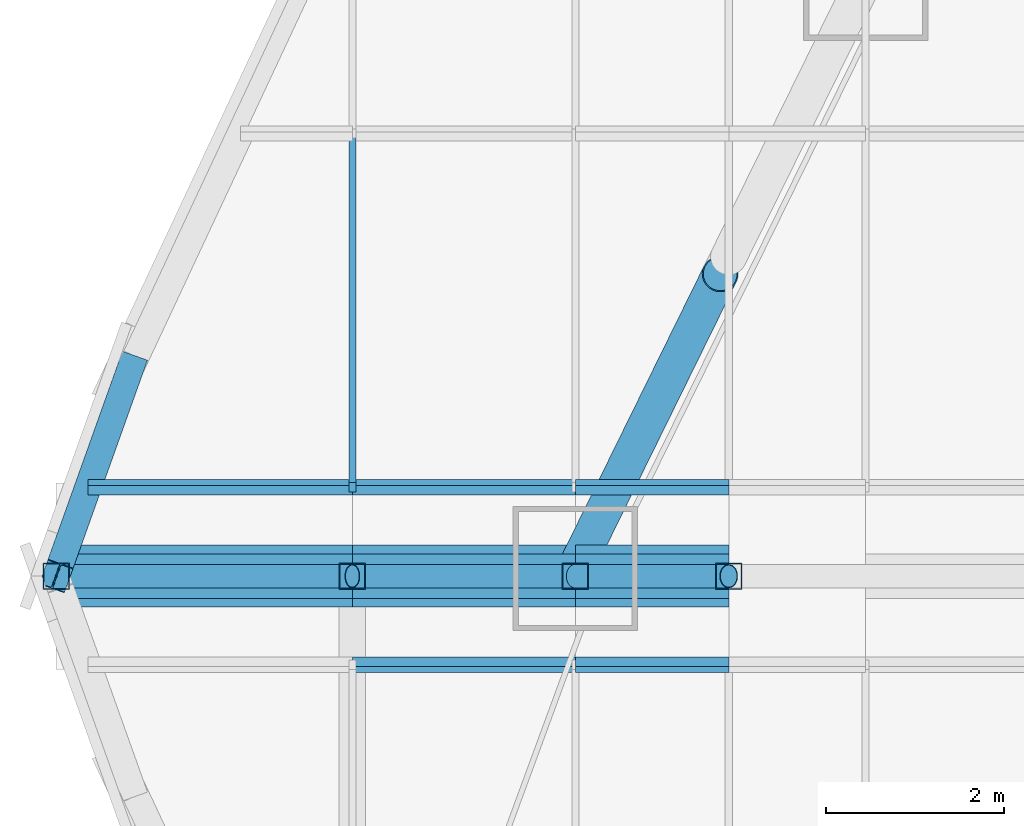
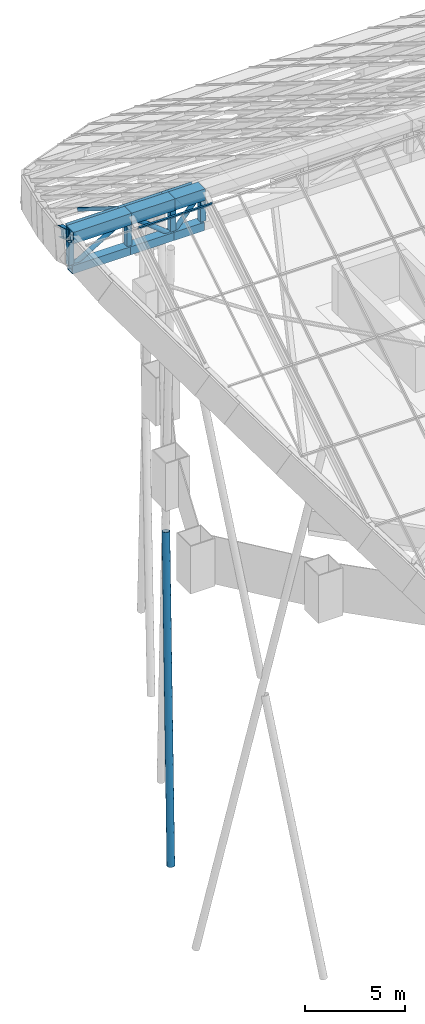
# One storey, part 10 of 38: 21 members, 5 elements without a shape of their own.
"""IFC4 building model written with IfcOpenShell, lengths in metres."""

import ifcopenshell
import ifcopenshell.guid

model = None  # the IFC model being written
_history = None  # IfcOwnerHistory: only IFC2X3 demands one
_inside = {}  # id of a spatial element -> (the spatial element, [elements in it])
_under = {}  # id of a project, library or spatial element -> (it, [spatial elements below it])
_declared = {}  # id of a project -> (the project, [libraries it declares])
_typed = {}  # id of a type object -> (the type object, [elements of that type])
_made_of = {}  # id of a material, layer set ... -> (it, [elements and type objects made of it])


def new_model(schema):
    """Start an empty IFC model of exactly this schema.

    Asked for "IFC4X3", IfcOpenShell would pick the latest addendum, in which some entities
    have other attributes; the version numbers below select the first issue.
    IFC2X3 requires an IfcOwnerHistory on every rooted entity: one is made here for all.
    """
    global model, _history
    if schema == "IFC4X3":
        model = ifcopenshell.file(schema_version=(4, 3, 0, 0))
    else:
        model = ifcopenshell.file(schema=schema)
    _inside.clear()
    _under.clear()
    _declared.clear()
    _typed.clear()
    _made_of.clear()
    _history = None
    if model.schema == "IFC2X3":
        org = make("IfcOrganization", Name="unknown")
        user = make(
            "IfcPersonAndOrganization",
            ThePerson=make("IfcPerson", FamilyName="unknown"),
            TheOrganization=org,
        )
        app = make(
            "IfcApplication",
            ApplicationDeveloper=org,
            Version="unknown",
            ApplicationFullName="unknown",
            ApplicationIdentifier="unknown",
        )
        _history = make(
            "IfcOwnerHistory",
            OwningUser=user,
            OwningApplication=app,
            ChangeAction="ADDED",
            CreationDate=0,
        )
    return model


def make(cls, **values):
    """One entity of the class cls with the attributes given. An attribute that is None is left unset."""
    return model.create_entity(
        cls, **{name: value for name, value in values.items() if value is not None}
    )


def rooted(cls, **values):
    """An entity with a GlobalId (a new one), such as an element, a storey or a relation."""
    return make(cls, GlobalId=ifcopenshell.guid.new(), OwnerHistory=_history, **values)


def si_unit(unit_type, name, prefix=None):
    """IfcSIUnit, for example si_unit("LENGTHUNIT", "METRE", prefix="MILLI")."""
    return make("IfcSIUnit", UnitType=unit_type, Prefix=prefix, Name=name)


def assignment(units):
    """IfcUnitAssignment: the units of a project."""
    return None if units is None else make("IfcUnitAssignment", Units=units)


def point(xyz):
    """IfcCartesianPoint."""
    return None if xyz is None else make("IfcCartesianPoint", Coordinates=xyz)


def direction(xyz):
    """IfcDirection."""
    return None if xyz is None else make("IfcDirection", DirectionRatios=xyz)


def frame(location, z_axis=None, x_axis=None):
    """IfcAxis2Placement3D, a coordinate frame: its origin and axes. An axis left out is left unset."""
    return make(
        "IfcAxis2Placement3D",
        Location=point(location),
        Axis=direction(z_axis),
        RefDirection=direction(x_axis),
    )


def frame_2d(location, x_axis=None):
    """IfcAxis2Placement2D, a coordinate frame in the plane: its origin and x axis."""
    return make(
        "IfcAxis2Placement2D", Location=point(location), RefDirection=direction(x_axis)
    )


def origin():
    """The frame at (0, 0, 0) with its axes left unset."""
    return frame((0.0, 0.0, 0.0))


def origin_2d():
    """The frame at (0, 0) in the plane with its x axis left unset."""
    return frame_2d((0.0, 0.0))


def place(relative_to, where):
    """IfcLocalPlacement: puts the frame where relative to a parent placement (None: the world)."""
    return make(
        "IfcLocalPlacement", PlacementRelTo=relative_to, RelativePlacement=where
    )


def context(
    kind, dimensions, precision=None, world=None, true_north=None, identifier=None
):
    """IfcGeometricRepresentationContext, for example the 3D "Model" context."""
    return make(
        "IfcGeometricRepresentationContext",
        ContextIdentifier=identifier,
        ContextType=kind,
        CoordinateSpaceDimension=dimensions,
        Precision=precision,
        WorldCoordinateSystem=world,
        TrueNorth=true_north,
    )


def subcontext(parent, identifier, kind, view, scale=None):
    """IfcGeometricRepresentationSubContext, for example "Body" below "Model"."""
    return make(
        "IfcGeometricRepresentationSubContext",
        ContextIdentifier=identifier,
        ContextType=kind,
        ParentContext=parent,
        TargetScale=scale,
        TargetView=view,
    )


def project(units=None, contexts=None):
    """IfcProject with its units and contexts."""
    return rooted(
        "IfcProject",
        Name="project",
        RepresentationContexts=contexts,
        UnitsInContext=assignment(units),
    )


def spatial(cls, under=None, at=None, **own):
    """A site, building, storey or space (cls), placed at a placement, below another one or the project."""
    s = rooted(cls, ObjectPlacement=at, **own)
    if under is not None:
        _under.setdefault(under.id(), (under, []))[1].append(s)
    return s


def profile(cls, at=None, kind="AREA", **sizes):
    """A parametric profile (cls). Its sizes go by their IFC names, for example OverallWidth=200.0."""
    return make(cls, ProfileType=kind, Position=at, **sizes)


def rectangle(**sizes):
    """IfcRectangleProfileDef."""
    return profile("IfcRectangleProfileDef", **sizes)


def hollow_rectangle(**sizes):
    """IfcRectangleHollowProfileDef."""
    return profile("IfcRectangleHollowProfileDef", **sizes)


def hollow_circle(**sizes):
    """IfcCircleHollowProfileDef."""
    return profile("IfcCircleHollowProfileDef", **sizes)


def i_section(**sizes):
    """IfcIShapeProfileDef."""
    return profile("IfcIShapeProfileDef", **sizes)


def extrude(swept, where, along, depth):
    """IfcExtrudedAreaSolid: the profile swept, set in the frame where, extruded along a direction by depth."""
    return make(
        "IfcExtrudedAreaSolid",
        SweptArea=swept,
        Position=where,
        ExtrudedDirection=direction(along),
        Depth=depth,
    )


def shape(context_of_items, identifier, shape_type, items):
    """IfcShapeRepresentation: the items that make up one representation, for example the "Body"."""
    return make(
        "IfcShapeRepresentation",
        ContextOfItems=context_of_items,
        RepresentationIdentifier=identifier,
        RepresentationType=shape_type,
        Items=items,
    )


def material(Name=None, Category=None):
    """IfcMaterial."""
    return make("IfcMaterial", Name=Name, Category=Category)


def layer(
    of_material, thickness, ventilated=None, Name=None, Category=None, Priority=None
):
    """IfcMaterialLayer: one layer of a wall or slab, of a material (None: an air gap)."""
    return make(
        "IfcMaterialLayer",
        Material=of_material,
        LayerThickness=thickness,
        IsVentilated=ventilated,
        Name=Name,
        Category=Category,
        Priority=Priority,
    )


def layer_set(layers, Name=None):
    """IfcMaterialLayerSet."""
    return make("IfcMaterialLayerSet", MaterialLayers=layers, LayerSetName=Name)


def material_profile(
    of_material, cross_section, Name=None, Category=None, Priority=None
):
    """IfcMaterialProfile: a cross section and its material."""
    return make(
        "IfcMaterialProfile",
        Name=Name,
        Material=of_material,
        Profile=cross_section,
        Priority=Priority,
        Category=Category,
    )


def profile_set(profiles, Name=None, composite=None):
    """IfcMaterialProfileSet."""
    return make(
        "IfcMaterialProfileSet",
        Name=Name,
        MaterialProfiles=profiles,
        CompositeProfile=composite,
    )


def made_of(thing, what):
    """Note that an element or type object is made of a material, layer set ...; save() writes the relation."""
    if what is not None:
        _made_of.setdefault(what.id(), (what, []))[1].append(thing)
    return thing


def type_object(cls, material=None, **own):
    """A type object (cls), such as IfcWallType, which elements share."""
    return made_of(rooted(cls, **own), material)


def element(
    cls,
    number,
    at=None,
    inside=None,
    cuts=None,
    type_object=None,
    material=None,
    context=None,
    identifier="Body",
    shape_type=None,
    held_by="IfcProductDefinitionShape",
    body=None,
    shapes=None,
    **own,
):
    """One element of the class cls, such as IfcWall. Its Tag is "e" and its number.

    at: its placement. inside: the storey or other place that contains it. cuts: it is an
    opening in that element (IfcRelVoidsElement). A single representation is given by context,
    identifier, shape_type and body (its items); several are given by shapes. held_by: the class
    of the entity that holds the representations. save() writes the other relations.
    """
    e = rooted(cls, Tag="e%d" % number, ObjectPlacement=at, **own)
    if body is not None:
        shapes = [shape(context, identifier, shape_type, body)]
    if shapes is not None:
        e.Representation = make(held_by, Representations=shapes)
    if inside is not None:
        _inside.setdefault(inside.id(), (inside, []))[1].append(e)
    if cuts is not None:
        rooted(
            "IfcRelVoidsElement", RelatingBuildingElement=cuts, RelatedOpeningElement=e
        )
    if type_object is not None:
        _typed.setdefault(type_object.id(), (type_object, []))[1].append(e)
    return made_of(e, material)


def aggregate(whole, parts):
    """IfcRelAggregates: a whole, such as a stair, and the parts it consists of."""
    return rooted("IfcRelAggregates", RelatingObject=whole, RelatedObjects=parts)


def save(model, path):
    """Write the relations noted so far, then the file.

    IfcRelAggregates (storeys below a building ...), IfcRelContainedInSpatialStructure (elements
    in a storey), IfcRelDefinesByType, IfcRelAssociatesMaterial and IfcRelDeclares: one each for
    every whole, place, type object, material and project.
    """
    for whole, parts in _under.values():
        aggregate(whole, parts)
    for where, things in _inside.values():
        rooted(
            "IfcRelContainedInSpatialStructure",
            RelatedElements=things,
            RelatingStructure=where,
        )
    for kind, things in _typed.values():
        rooted("IfcRelDefinesByType", RelatedObjects=things, RelatingType=kind)
    for what, things in _made_of.values():
        rooted("IfcRelAssociatesMaterial", RelatedObjects=things, RelatingMaterial=what)
    for by, libraries in _declared.values():
        rooted("IfcRelDeclares", RelatingContext=by, RelatedDefinitions=libraries)
    model.write(path)


model = new_model("IFC4")

# Units and contexts
model_context = context("Model", 3, precision=1e-05, world=origin(), true_north=direction((0.0, 1.0)))
body_context = subcontext(model_context, "Body", "Model", "MODEL_VIEW")
ifc_project = project(units=[si_unit("LENGTHUNIT", "METRE"), si_unit("AREAUNIT", "SQUARE_METRE"), si_unit("VOLUMEUNIT", "CUBIC_METRE"), si_unit("PLANEANGLEUNIT", "RADIAN"), si_unit("MASSUNIT", "GRAM", prefix="KILO")], contexts=[model_context])

# Site, building, storey
site_placement = place(None, origin())
site = spatial("IfcSite", under=ifc_project, at=site_placement, CompositionType="ELEMENT")
building_placement = place(site_placement, origin())
building = spatial("IfcBuilding", under=site, at=building_placement, Name="Dongbaek Canopy Tower", CompositionType="ELEMENT")
storey_placement = place(building_placement, frame((0.0, 0.0, 375.800048828125)))
storey = spatial("IfcBuildingStorey", under=building, at=storey_placement, Name="Roof", CompositionType="ELEMENT", Elevation=375.800048828125)

# Member
ifc_material_1 = material(Name="Steel S355", Category="steel")
ifc_material_profile_1 = material_profile(ifc_material_1, hollow_circle(Radius=0.203125, WallThickness=0.0126953125, at=origin_2d()), Name="COLONNADE BRACE CHS 406.4x12.7 Steel S355")
ifc_profile_set_1 = profile_set([ifc_material_profile_1], Name="Steel S355")
member_type_1 = type_object("IfcMemberType", Name="COLONNADE BRACE CHS 406.4x12.7 Steel S355", PredefinedType="BRACE", material=ifc_profile_set_1)
member_1_placement = place(storey_placement, frame((-28.616943359375, 0.0859375, -22.199951171875), z_axis=(0.089826246782, 0.182636843577, 0.979068449475), x_axis=(-0.897340532398, 0.441338836853, 0.0)))
element("IfcMember", 1, at=member_1_placement, inside=storey, type_object=member_type_1, Name="XBRACE:24:1", PredefinedType="BRACE", context=body_context, shape_type="SweptSolid", body=[
    extrude(hollow_circle(Radius=0.203125, WallThickness=0.0126953125, at=origin_2d()), origin(), (0.0, 0.0, 1.0), 18.1611328125),
])

# Curtain wall, members
ifc_material_2 = material(Name="Aluminium 6063-T6 pale anodised", Category="aluminium")
ifc_layer = layer(ifc_material_2, 0.199951171875)
ifc_layer_set = layer_set([ifc_layer], Name="CW-6 canopy glazing curtain wall")
curtain_wall_type = type_object("IfcCurtainWallType", Name="CW-6 canopy glazing curtain wall", PredefinedType="NOTDEFINED", material=ifc_layer_set)
curtain_wall_1_placement = place(storey_placement, origin())
curtain_wall_1 = element("IfcCurtainWall", 2, at=curtain_wall_1_placement, inside=storey, type_object=curtain_wall_type, Name="CW-6 canopy glazing north 1.1", PredefinedType="NOTDEFINED")
ifc_material_3 = material(Name="Aluminium 6063-T6 pale anodised", Category="aluminium")
ifc_material_profile_2 = material_profile(ifc_material_3, rectangle(XDim=0.080078125, YDim=0.199951171875, at=origin_2d()), Name="CW-6 mullion 80 x 200")
ifc_profile_set_2 = profile_set([ifc_material_profile_2], Name="Aluminium 6063-T6 pale anodised")
member_type_2 = type_object("IfcMemberType", Name="CW-6 mullion 80 x 200", PredefinedType="MULLION", material=ifc_profile_set_2)
member_2_placement = place(storey_placement, frame((-31.12890625, 1.0, 18.0986328125), z_axis=(0.0, 0.848068327403, -0.529886886095), x_axis=(-1.0, 0.0, 0.0)))
member_2 = element("IfcMember", 3, at=member_2_placement, type_object=member_type_2, Name="CW-6 mullion N1.1.-31.1", PredefinedType="MULLION", context=body_context, shape_type="SweptSolid", body=[
    extrude(rectangle(XDim=0.080078125, YDim=0.199951171875, at=origin_2d()), origin(), (0.0, 0.0, 1.0), 4.700439453125),
])
ifc_material_4 = material(Name="Aluminium 6063-T6 pale anodised", Category="aluminium")
ifc_material_profile_3 = material_profile(ifc_material_4, rectangle(XDim=0.080078125, YDim=0.199951171875, at=origin_2d()), Name="CW-6 transom 80 x 200")
ifc_profile_set_3 = profile_set([ifc_material_profile_3], Name="Aluminium 6063-T6 pale anodised")
member_type_3 = type_object("IfcMemberType", Name="CW-6 transom 80 x 200", PredefinedType="USERDEFINED", material=ifc_profile_set_3)
member_3_placement = place(storey_placement, frame((-34.107421875, 1.0, 18.0986328125), z_axis=(1.0, 0.0, 0.0), x_axis=(0.0, 0.848048096156, -0.529919264233)))
member_3 = element("IfcMember", 4, at=member_3_placement, type_object=member_type_3, Name="CW-6 transom N1.1.1", ObjectType="TRANSOM", PredefinedType="USERDEFINED", context=body_context, shape_type="SweptSolid", body=[
    extrude(rectangle(XDim=0.080078125, YDim=0.199951171875, at=origin_2d()), origin(), (0.0, 0.0, 1.0), 2.978515625),
])
aggregate(curtain_wall_1, [member_2, member_3])

# Curtain wall, member
curtain_wall_2_placement = place(storey_placement, origin())
curtain_wall_2 = element("IfcCurtainWall", 5, at=curtain_wall_2_placement, inside=storey, type_object=curtain_wall_type, Name="CW-6 canopy glazing north 2.1", PredefinedType="NOTDEFINED")
member_4_placement = place(storey_placement, frame((-31.12890625, 1.0, 18.0986328125), z_axis=(1.0, 0.0, 0.0), x_axis=(0.0, 0.848048096156, -0.529919264233)))
member_4 = element("IfcMember", 6, at=member_4_placement, type_object=member_type_3, Name="CW-6 transom N2.1.1", ObjectType="TRANSOM", PredefinedType="USERDEFINED", context=body_context, shape_type="SweptSolid", body=[
    extrude(rectangle(XDim=0.080078125, YDim=0.199951171875, at=origin_2d()), origin(), (0.0, 0.0, 1.0), 2.511962890625),
])
aggregate(curtain_wall_2, [member_4])

curtain_wall_3_placement = place(storey_placement, origin())
curtain_wall_3 = element("IfcCurtainWall", 7, at=curtain_wall_3_placement, inside=storey, type_object=curtain_wall_type, Name="CW-6 canopy glazing north 3.1", PredefinedType="NOTDEFINED")
member_5_placement = place(storey_placement, frame((-28.616943359375, 1.0, 18.0986328125), z_axis=(1.0, 0.0, 0.0), x_axis=(0.0, 0.848048096156, -0.529919264233)))
member_5 = element("IfcMember", 8, at=member_5_placement, type_object=member_type_3, Name="CW-6 transom N3.1.1", ObjectType="TRANSOM", PredefinedType="USERDEFINED", context=body_context, shape_type="SweptSolid", body=[
    extrude(rectangle(XDim=0.080078125, YDim=0.199951171875, at=origin_2d()), origin(), (0.0, 0.0, 1.0), 1.72802734375),
])
aggregate(curtain_wall_3, [member_5])

curtain_wall_4_placement = place(storey_placement, origin())
curtain_wall_4 = element("IfcCurtainWall", 9, at=curtain_wall_4_placement, inside=storey, type_object=curtain_wall_type, Name="CW-6 canopy glazing south 2.1", PredefinedType="NOTDEFINED")
member_6_placement = place(storey_placement, frame((-31.12890625, -1.0, 18.0986328125), z_axis=(1.0, 0.0, 0.0), x_axis=(0.0, 0.848048096156, 0.529919264233)))
member_6 = element("IfcMember", 10, at=member_6_placement, type_object=member_type_3, Name="CW-6 transom S2.1.1", ObjectType="TRANSOM", PredefinedType="USERDEFINED", context=body_context, shape_type="SweptSolid", body=[
    extrude(rectangle(XDim=0.080078125, YDim=0.199951171875, at=origin_2d()), origin(), (0.0, 0.0, 1.0), 2.511962890625),
])
aggregate(curtain_wall_4, [member_6])

curtain_wall_5_placement = place(storey_placement, origin())
curtain_wall_5 = element("IfcCurtainWall", 11, at=curtain_wall_5_placement, inside=storey, type_object=curtain_wall_type, Name="CW-6 canopy glazing south 3.1", PredefinedType="NOTDEFINED")
member_7_placement = place(storey_placement, frame((-28.616943359375, -1.0, 18.0986328125), z_axis=(1.0, 0.0, 0.0), x_axis=(0.0, 0.848048096156, 0.529919264233)))
member_7 = element("IfcMember", 12, at=member_7_placement, type_object=member_type_3, Name="CW-6 transom S3.1.1", ObjectType="TRANSOM", PredefinedType="USERDEFINED", context=body_context, shape_type="SweptSolid", body=[
    extrude(rectangle(XDim=0.080078125, YDim=0.199951171875, at=origin_2d()), origin(), (0.0, 0.0, 1.0), 1.72802734375),
])
aggregate(curtain_wall_5, [member_7])

# Members
ifc_material_5 = material(Name="Steel S355", Category="steel")
ifc_material_profile_4 = material_profile(ifc_material_5, i_section(OverallWidth=0.300048828125, OverallDepth=0.587890625, WebThickness=0.011962890625, FlangeThickness=0.02001953125, FilletRadius=0.028076171875, at=origin_2d()), Name="EAVES BEAM H 588x300x12x20 Steel S355")
ifc_profile_set_4 = profile_set([ifc_material_profile_4], Name="Steel S355")
member_type_4 = type_object("IfcMemberType", Name="EAVES BEAM H 588x300x12x20 Steel S355", PredefinedType="MEMBER", material=ifc_profile_set_4)
member_8_placement = place(storey_placement, frame((-33.627685546875, 2.34228515625, 16.7880859375), z_axis=(-0.28999238228, -0.811606451458, 0.507148288148), x_axis=(0.941693046542, -0.336473187779, 0.0)))
element("IfcMember", 13, at=member_8_placement, inside=storey, type_object=member_type_4, Name="EAVE:61", PredefinedType="MEMBER", context=body_context, shape_type="SweptSolid", body=[
    extrude(i_section(OverallWidth=0.300048828125, OverallDepth=0.587890625, WebThickness=0.011962890625, FlangeThickness=0.02001953125, FilletRadius=0.028076171875, at=origin_2d()), origin(), (0.0, 0.0, 1.0), 2.885986328125),
])
ifc_material_6 = material(Name="Steel S355", Category="steel")
ifc_material_profile_5 = material_profile(ifc_material_6, hollow_rectangle(XDim=0.699951171875, YDim=0.699951171875, WallThickness=0.035888671875, at=origin_2d()), Name="RIDGE BEAM BOX 700x700x36 Steel S355")
ifc_profile_set_5 = profile_set([ifc_material_profile_5], Name="Steel S355")
member_type_5 = type_object("IfcMemberType", Name="RIDGE BEAM BOX 700x700x36 Steel S355", PredefinedType="MEMBER", material=ifc_profile_set_5)
member_9_placement = place(storey_placement, frame((-34.464599609375, 0.0, 18.251708984375), z_axis=(1.0, 0.0, 0.0), x_axis=(0.0, 1.0, 0.0)))
element("IfcMember", 14, at=member_9_placement, inside=storey, type_object=member_type_5, Name="RIDGE:00", PredefinedType="MEMBER", context=body_context, shape_type="SweptSolid", body=[
    extrude(hollow_rectangle(XDim=0.699951171875, YDim=0.699951171875, WallThickness=0.035888671875, at=origin_2d()), origin(), (0.0, 0.0, 1.0), 3.335693359375),
])
member_10_placement = place(storey_placement, frame((-31.12890625, 0.0, 18.251708984375), z_axis=(1.0, 0.0, 0.0), x_axis=(0.0, 1.0, 0.0)))
element("IfcMember", 15, at=member_10_placement, inside=storey, type_object=member_type_5, Name="RIDGE:01", PredefinedType="MEMBER", context=body_context, shape_type="SweptSolid", body=[
    extrude(hollow_rectangle(XDim=0.699951171875, YDim=0.699951171875, WallThickness=0.035888671875, at=origin_2d()), origin(), (0.0, 0.0, 1.0), 2.511962890625),
])
member_11_placement = place(storey_placement, frame((-28.616943359375, 0.0, 18.251708984375), z_axis=(1.0, 0.0, 0.0), x_axis=(0.0, 1.0, 0.0)))
element("IfcMember", 16, at=member_11_placement, inside=storey, type_object=member_type_5, Name="RIDGE:02", PredefinedType="MEMBER", context=body_context, shape_type="SweptSolid", body=[
    extrude(hollow_rectangle(XDim=0.699951171875, YDim=0.699951171875, WallThickness=0.035888671875, at=origin_2d()), origin(), (0.0, 0.0, 1.0), 1.72802734375),
])
ifc_material_7 = material(Name="Steel S355", Category="steel")
ifc_material_profile_6 = material_profile(ifc_material_7, hollow_circle(Radius=0.1337890625, WallThickness=0.00927734375, at=origin_2d()), Name="RIDGE BRACE CHS 267.4x9.3 Steel S355")
ifc_profile_set_6 = profile_set([ifc_material_profile_6], Name="Steel S355")
member_type_6 = type_object("IfcMemberType", Name="RIDGE BRACE CHS 267.4x9.3 Steel S355", PredefinedType="BRACE", material=ifc_profile_set_6)
member_12_placement = place(storey_placement, frame((-34.464599609375, 0.0, 16.251708984375), z_axis=(0.857653506334, 0.0, 0.51422802634), x_axis=(0.0, 1.0, 0.0)))
element("IfcMember", 17, at=member_12_placement, inside=storey, type_object=member_type_6, Name="RIDGEBRACE:00", PredefinedType="BRACE", context=body_context, shape_type="SweptSolid", body=[
    extrude(hollow_circle(Radius=0.1337890625, WallThickness=0.00927734375, at=origin_2d()), origin(), (0.0, 0.0, 1.0), 3.889404296875),
])
member_13_placement = place(storey_placement, frame((-31.12890625, 0.0, 18.251708984375), z_axis=(0.782320625569, 0.0, -0.622875941749), x_axis=(0.0, 1.0, 0.0)))
element("IfcMember", 18, at=member_13_placement, inside=storey, type_object=member_type_6, Name="RIDGEBRACE:01", PredefinedType="BRACE", context=body_context, shape_type="SweptSolid", body=[
    extrude(hollow_circle(Radius=0.1337890625, WallThickness=0.00927734375, at=origin_2d()), origin(), (0.0, 0.0, 1.0), 3.2109375),
])
member_14_placement = place(storey_placement, frame((-28.616943359375, 0.0, 16.251708984375), z_axis=(0.653783385378, 0.0, 0.756681759397), x_axis=(0.0, 1.0, 0.0)))
element("IfcMember", 19, at=member_14_placement, inside=storey, type_object=member_type_6, Name="RIDGEBRACE:02", PredefinedType="BRACE", context=body_context, shape_type="SweptSolid", body=[
    extrude(hollow_circle(Radius=0.1337890625, WallThickness=0.00927734375, at=origin_2d()), origin(), (0.0, 0.0, 1.0), 2.64306640625),
])
ifc_material_8 = material(Name="Steel S355", Category="steel")
ifc_material_profile_7 = material_profile(ifc_material_8, hollow_rectangle(XDim=0.5, YDim=0.5, WallThickness=0.030029296875, at=origin_2d()), Name="RIDGE LOWER CHORD BOX 500x500x30 Steel S355")
ifc_profile_set_7 = profile_set([ifc_material_profile_7], Name="Steel S355")
member_type_7 = type_object("IfcMemberType", Name="RIDGE LOWER CHORD BOX 500x500x30 Steel S355", PredefinedType="CHORD", material=ifc_profile_set_7)
member_15_placement = place(storey_placement, frame((-34.464599609375, 0.0, 16.251708984375), z_axis=(1.0, 0.0, 0.0), x_axis=(0.0, 1.0, 0.0)))
element("IfcMember", 20, at=member_15_placement, inside=storey, type_object=member_type_7, Name="RIDGELOW:00", PredefinedType="CHORD", context=body_context, shape_type="SweptSolid", body=[
    extrude(hollow_rectangle(XDim=0.5, YDim=0.5, WallThickness=0.030029296875, at=origin_2d()), origin(), (0.0, 0.0, 1.0), 3.335693359375),
])
member_16_placement = place(storey_placement, frame((-31.12890625, 0.0, 16.251708984375), z_axis=(1.0, 0.0, 0.0), x_axis=(0.0, 1.0, 0.0)))
element("IfcMember", 21, at=member_16_placement, inside=storey, type_object=member_type_7, Name="RIDGELOW:01", PredefinedType="CHORD", context=body_context, shape_type="SweptSolid", body=[
    extrude(hollow_rectangle(XDim=0.5, YDim=0.5, WallThickness=0.030029296875, at=origin_2d()), origin(), (0.0, 0.0, 1.0), 2.511962890625),
])
member_17_placement = place(storey_placement, frame((-28.616943359375, 0.0, 16.251708984375), z_axis=(1.0, 0.0, 0.0), x_axis=(0.0, 1.0, 0.0)))
element("IfcMember", 22, at=member_17_placement, inside=storey, type_object=member_type_7, Name="RIDGELOW:02", PredefinedType="CHORD", context=body_context, shape_type="SweptSolid", body=[
    extrude(hollow_rectangle(XDim=0.5, YDim=0.5, WallThickness=0.030029296875, at=origin_2d()), origin(), (0.0, 0.0, 1.0), 1.72802734375),
])
ifc_material_9 = material(Name="Steel S355", Category="steel")
ifc_material_profile_8 = material_profile(ifc_material_9, hollow_rectangle(XDim=0.300048828125, YDim=0.300048828125, WallThickness=0.011962890625, at=origin_2d()), Name="RIDGE POST SHS 300x300x12 Steel S355")
ifc_profile_set_8 = profile_set([ifc_material_profile_8], Name="Steel S355")
member_type_8 = type_object("IfcMemberType", Name="RIDGE POST SHS 300x300x12 Steel S355", PredefinedType="POST", material=ifc_profile_set_8)
for number, where, z_axis, x_axis, name in (
    (23, (-34.464599609375, 0.0, 16.501708984375), (0.0, 0.0, 1.0), (1.0, 0.0, 0.0), "RIDGEPOST:00"),
    (24, (-31.12890625, 0.0, 16.501708984375), (0.0, 0.0, 1.0), (1.0, 0.0, 0.0), "RIDGEPOST:01"),
    (25, (-28.616943359375, 0.0, 16.501708984375), (0.0, 0.0, 1.0), (1.0, 0.0, 0.0), "RIDGEPOST:02"),
    (26, (-26.888916015625, 0.0, 16.501708984375), (0.0, 0.0, 1.0), (1.0, 0.0, 0.0), "RIDGEPOST:03"),
):
    element("IfcMember", number, at=place(storey_placement, frame(where, z_axis=z_axis, x_axis=x_axis)), inside=storey, type_object=member_type_8, Name=name, PredefinedType="POST", context=body_context, shape_type="SweptSolid", body=[
        extrude(hollow_rectangle(XDim=0.300048828125, YDim=0.300048828125, WallThickness=0.011962890625, at=origin_2d()), origin(), (0.0, 0.0, 1.0), 1.400146484375),
    ])

save(model, "model.ifc")
